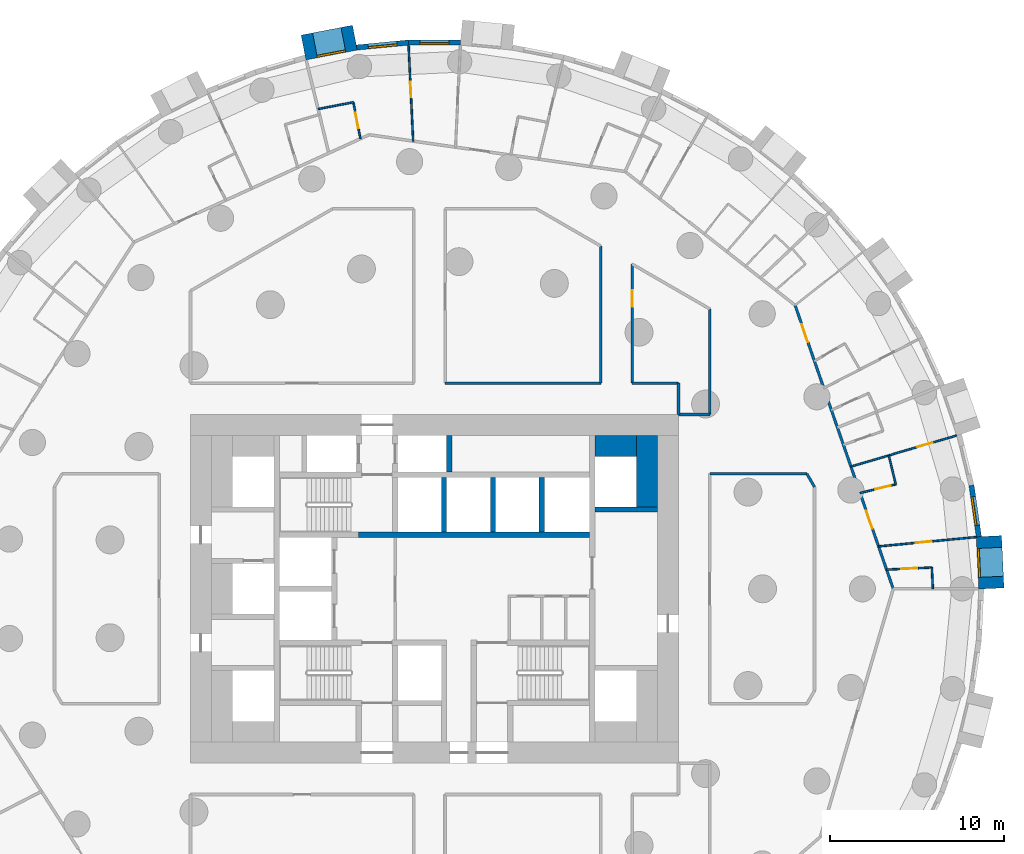
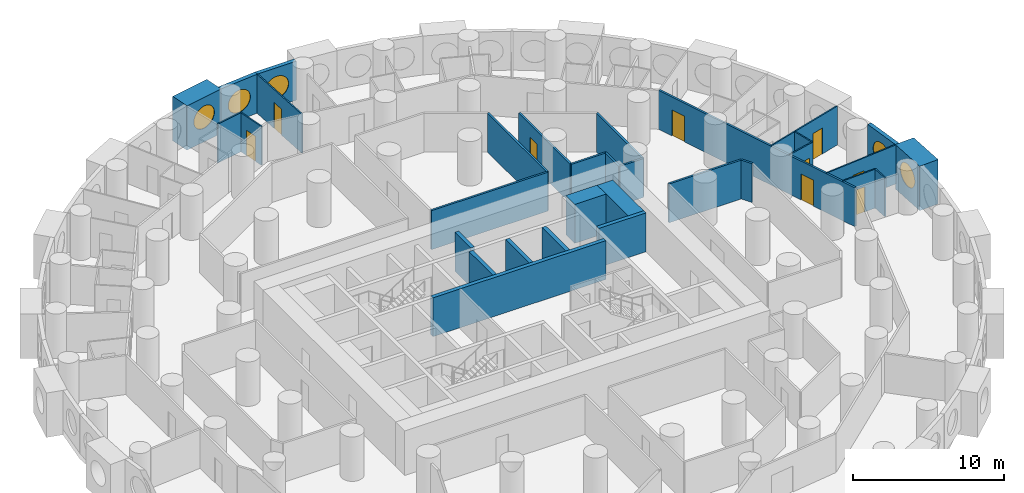
# One storey, part 8 of 12: 33 walls, 9 doors, 5 windows, 14 openings.
"""IFC4 building model written with IfcOpenShell, lengths in metres."""

from ifc_helpers import new_model, si_unit, direction, frame, frame_2d, origin, origin_2d, place, context, subcontext, project, spatial, rectangle, circle, extrude, material, layer, layer_set, type_object, element, fill, save


model = new_model("IFC4")

# Units and contexts
model_context = context("Model", 3, precision=1e-05, world=origin(), true_north=direction((0.0, 1.0)))
body_context = subcontext(model_context, "Body", "Model", "MODEL_VIEW")
ifc_project = project(units=[si_unit("LENGTHUNIT", "METRE"), si_unit("AREAUNIT", "SQUARE_METRE"), si_unit("VOLUMEUNIT", "CUBIC_METRE"), si_unit("PLANEANGLEUNIT", "RADIAN"), si_unit("MASSUNIT", "GRAM", prefix="KILO")], contexts=[model_context])

# Site, building, storey
site_placement = place(None, origin())
site = spatial("IfcSite", under=ifc_project, at=site_placement, CompositionType="ELEMENT")
building_placement = place(site_placement, origin())
building = spatial("IfcBuilding", under=site, at=building_placement, Name="Tracery Tower", CompositionType="ELEMENT")
storey_placement = place(building_placement, frame((0.0, 0.0, 39.0)))
storey = spatial("IfcBuildingStorey", under=building, at=storey_placement, Name="L08", CompositionType="ELEMENT", Elevation=39.0)

# Walls
ifc_material_1 = material(Name="Concrete C60/75", Category="concrete")
ifc_layer_1 = layer(ifc_material_1, 1.199951171875)
ifc_layer_set_1 = layer_set([ifc_layer_1], Name="Core strip wall 1200 C60")
wall_type_1 = type_object("IfcWallType", Name="Core strip wall 1200 C60", PredefinedType="SOLIDWALL", material=ifc_layer_set_1)
wall_1_placement = place(storey_placement, frame((12.199951171875, 4.699951171875, 0.0), z_axis=(0.0, 0.0, 1.0), x_axis=(0.0, 1.0, 0.0)))
element("IfcWall", 1, at=wall_1_placement, inside=storey, type_object=wall_type_1, Name="L08 wing strip +1 4.55", PredefinedType="SOLIDWALL", context=body_context, shape_type="SweptSolid", body=[
    extrude(rectangle(XDim=4.10009765625, YDim=1.199951171875, at=frame_2d((2.050048828125, 0.0))), origin(), (0.0, 0.0, 1.0), 3.14990234375),
])
wall_2_placement = place(storey_placement, frame((9.199951171875, 8.199951171875, 0.0), z_axis=(0.0, 0.0, 1.0), x_axis=(1.0, 0.0, 0.0)))
element("IfcWall", 2, at=wall_2_placement, inside=storey, type_object=wall_type_1, Name="L08 wing corner +1 +8.2", PredefinedType="SOLIDWALL", context=body_context, shape_type="SweptSolid", body=[
    extrude(rectangle(XDim=2.400146484375, YDim=1.199951171875, at=frame_2d((1.2001953125, 0.0))), origin(), (0.0, 0.0, 1.0), 3.14990234375),
])

# Wall, opening, window
ifc_material_2 = material(Name="Precast concrete C50/60", Category="concrete")
ifc_layer_2 = layer(ifc_material_2, 1.449951171875)
ifc_layer_set_2 = layer_set([ifc_layer_2], Name="Deep-set bay unit 3000 x 3600, slab edge 450")
wall_type_2 = type_object("IfcWallType", Name="Deep-set bay unit 3000 x 3600, slab edge 450", PredefinedType="ELEMENTEDWALL", material=ifc_layer_set_2)
wall_3_placement = place(storey_placement, frame((31.94921875, 0.020263671875, -0.449951171875), z_axis=(0.0, 0.0, 1.0), x_axis=(-0.047607680889, 0.998866111509, 0.0)))
wall_3 = element("IfcWall", 3, at=wall_3_placement, inside=storey, type_object=wall_type_2, Name="Deep-set bay unit 1 at L08", PredefinedType="ELEMENTEDWALL", context=body_context, shape_type="SweptSolid", body=[
    extrude(rectangle(XDim=3.0, YDim=1.449951171875, at=frame_2d((1.5, 0.0))), origin(), (0.0, 0.0, 1.0), 3.599853515625),
])
opening_1_placement = place(wall_3_placement, frame((1.5, 0.0, 2.0)))
opening_1 = element("IfcOpeningElement", 4, at=opening_1_placement, cuts=wall_3, Name="Opening WN1", PredefinedType="OPENING", context=body_context, shape_type="SweptSolid", body=[
    extrude(circle(Radius=0.9000244140625, at=origin_2d()), frame((0.0, 0.73486328125, 0.0), z_axis=(0.0, -1.0, 0.0), x_axis=(1.0, 0.0, 0.0)), (0.0, 0.0, 1.0), 1.469970703125),
])
ifc_material_3 = material(Name="Aluminium frame with tinted double glazing", Category="aluminium")
window_type = type_object("IfcWindowType", Name="Round window 1800", PartitioningType="SINGLE_PANEL", PredefinedType="WINDOW", material=ifc_material_3)
window_1_placement = place(opening_1_placement, origin())
window_1 = element("IfcWindow", 5, at=window_1_placement, inside=storey, type_object=window_type, Name="Round window 1 at L08", OverallHeight=1.800048828125, OverallWidth=1.800048828125, PartitioningType="SINGLE_PANEL", PredefinedType="WINDOW", context=body_context, shape_type="SweptSolid", body=[
    extrude(circle(Radius=0.9000244140625, at=origin_2d()), frame((0.0, 0.69482421875, 0.0), z_axis=(0.0, -1.0, 0.0), x_axis=(1.0, 0.0, 0.0)), (0.0, 0.0, 1.0), 0.10009765625),
])
fill(opening_1, window_1)

wall_4_placement = place(storey_placement, frame((-4.56689453125, 31.62109375, -0.449951171875), z_axis=(0.0, 0.0, 1.0), x_axis=(-0.981921602273, -0.189288052949, 0.0)))
wall_4 = element("IfcWall", 6, at=wall_4_placement, inside=storey, type_object=wall_type_2, Name="Deep-set bay unit 19 at L08", PredefinedType="ELEMENTEDWALL", context=body_context, shape_type="SweptSolid", body=[
    extrude(rectangle(XDim=3.0, YDim=1.449951171875, at=frame_2d((1.5, 0.0))), origin(), (0.0, 0.0, 1.0), 3.599853515625),
])
opening_2_placement = place(wall_4_placement, frame((1.5, 0.0, 2.0)))
opening_2 = element("IfcOpeningElement", 7, at=opening_2_placement, cuts=wall_4, Name="Opening WN1", PredefinedType="OPENING", context=body_context, shape_type="SweptSolid", body=[
    extrude(circle(Radius=0.9000244140625, at=origin_2d()), frame((0.0, 0.73486328125, 0.0), z_axis=(0.0, -1.0, 0.0), x_axis=(1.0, 0.0, 0.0)), (0.0, 0.0, 1.0), 1.469970703125),
])
window_2_placement = place(opening_2_placement, origin())
window_2 = element("IfcWindow", 8, at=window_2_placement, inside=storey, type_object=window_type, Name="Round window 19 at L08", OverallHeight=1.800048828125, OverallWidth=1.800048828125, PartitioningType="SINGLE_PANEL", PredefinedType="WINDOW", context=body_context, shape_type="SweptSolid", body=[
    extrude(circle(Radius=0.9000244140625, at=origin_2d()), frame((0.0, 0.69482421875, 0.0), z_axis=(0.0, -1.0, 0.0), x_axis=(1.0, 0.0, 0.0)), (0.0, 0.0, 1.0), 0.10009765625),
])
fill(opening_2, window_2)

ifc_material_4 = material(Name="Precast concrete C50/60", Category="concrete")
ifc_layer_3 = layer(ifc_material_4, 0.300048828125)
ifc_layer_set_3 = layer_set([ifc_layer_3], Name="Facade panel 3000 x 3150")
wall_type_3 = type_object("IfcWallType", Name="Facade panel 3000 x 3150", PredefinedType="SOLIDWALL", material=ifc_layer_set_3)
wall_5_placement = place(storey_placement, frame((31.2314453125, 2.98828125, 0.0), z_axis=(0.0, 0.0, 1.0), x_axis=(-0.142315996627, 0.989821275334, 0.0)))
wall_5 = element("IfcWall", 9, at=wall_5_placement, inside=storey, type_object=wall_type_3, Name="Facade panel 2 at L08", PredefinedType="SOLIDWALL", context=body_context, shape_type="SweptSolid", body=[
    extrude(rectangle(XDim=2.979736328125, YDim=0.300048828125, at=frame_2d((1.48974609375, 0.0))), origin(), (0.0, 0.0, 1.0), 3.14990234375),
])
opening_3_placement = place(wall_5_placement, frame((1.48974609375, 0.0, 1.5498046875)))
opening_3 = element("IfcOpeningElement", 10, at=opening_3_placement, cuts=wall_5, Name="Opening WN1", PredefinedType="OPENING", context=body_context, shape_type="SweptSolid", body=[
    extrude(circle(Radius=0.9000244140625, at=origin_2d()), frame((0.0, 0.159912109375, 0.0), z_axis=(0.0, -1.0, 0.0), x_axis=(1.0, 0.0, 0.0)), (0.0, 0.0, 1.0), 0.320068359375),
])
window_3_placement = place(opening_3_placement, origin())
window_3 = element("IfcWindow", 11, at=window_3_placement, inside=storey, type_object=window_type, Name="Round window 2 at L08", OverallHeight=1.800048828125, OverallWidth=1.800048828125, PartitioningType="SINGLE_PANEL", PredefinedType="WINDOW", context=body_context, shape_type="SweptSolid", body=[
    extrude(circle(Radius=0.9000244140625, at=origin_2d()), frame((0.0, 0.1201171875, 0.0), z_axis=(0.0, -1.0, 0.0), x_axis=(1.0, 0.0, 0.0)), (0.0, 0.0, 1.0), 0.10009765625),
])
fill(opening_3, window_3)

wall_6_placement = place(storey_placement, frame((1.48681640625, 31.3388671875, 0.0), z_axis=(0.0, 0.0, 1.0), x_axis=(-1.0, 0.0, 0.0)))
wall_6 = element("IfcWall", 12, at=wall_6_placement, inside=storey, type_object=wall_type_3, Name="Facade panel 17 at L08", PredefinedType="SOLIDWALL", context=body_context, shape_type="SweptSolid", body=[
    extrude(rectangle(XDim=2.979736328125, YDim=0.300048828125, at=frame_2d((1.48974609375, 0.0))), origin(), (0.0, 0.0, 1.0), 3.14990234375),
])
opening_4_placement = place(wall_6_placement, frame((1.48974609375, 0.0, 1.5498046875)))
opening_4 = element("IfcOpeningElement", 13, at=opening_4_placement, cuts=wall_6, Name="Opening WN1", PredefinedType="OPENING", context=body_context, shape_type="SweptSolid", body=[
    extrude(circle(Radius=0.9000244140625, at=origin_2d()), frame((0.0, 0.159912109375, 0.0), z_axis=(0.0, -1.0, 0.0), x_axis=(1.0, 0.0, 0.0)), (0.0, 0.0, 1.0), 0.320068359375),
])
window_4_placement = place(opening_4_placement, origin())
window_4 = element("IfcWindow", 14, at=window_4_placement, inside=storey, type_object=window_type, Name="Round window 17 at L08", OverallHeight=1.800048828125, OverallWidth=1.800048828125, PartitioningType="SINGLE_PANEL", PredefinedType="WINDOW", context=body_context, shape_type="SweptSolid", body=[
    extrude(circle(Radius=0.9000244140625, at=origin_2d()), frame((0.0, 0.1201171875, 0.0), z_axis=(0.0, -1.0, 0.0), x_axis=(1.0, 0.0, 0.0)), (0.0, 0.0, 1.0), 0.10009765625),
])
fill(opening_4, window_4)

wall_7_placement = place(storey_placement, frame((-1.492919921875, 31.3388671875, 0.0), z_axis=(0.0, 0.0, 1.0), x_axis=(-0.995472611385, -0.095048829468, 0.0)))
wall_7 = element("IfcWall", 15, at=wall_7_placement, inside=storey, type_object=wall_type_3, Name="Facade panel 18 at L08", PredefinedType="SOLIDWALL", context=body_context, shape_type="SweptSolid", body=[
    extrude(rectangle(XDim=2.9794921875, YDim=0.300048828125, at=frame_2d((1.48974609375, 0.0))), origin(), (0.0, 0.0, 1.0), 3.14990234375),
])
opening_5_placement = place(wall_7_placement, frame((1.48974609375, 0.0, 1.5498046875)))
opening_5 = element("IfcOpeningElement", 16, at=opening_5_placement, cuts=wall_7, Name="Opening WN1", PredefinedType="OPENING", context=body_context, shape_type="SweptSolid", body=[
    extrude(circle(Radius=0.9000244140625, at=origin_2d()), frame((0.0, 0.159912109375, 0.0), z_axis=(0.0, -1.0, 0.0), x_axis=(1.0, 0.0, 0.0)), (0.0, 0.0, 1.0), 0.320068359375),
])
window_5_placement = place(opening_5_placement, origin())
window_5 = element("IfcWindow", 17, at=window_5_placement, inside=storey, type_object=window_type, Name="Round window 18 at L08", OverallHeight=1.800048828125, OverallWidth=1.800048828125, PartitioningType="SINGLE_PANEL", PredefinedType="WINDOW", context=body_context, shape_type="SweptSolid", body=[
    extrude(circle(Radius=0.9000244140625, at=origin_2d()), frame((0.0, 0.1201171875, 0.0), z_axis=(0.0, -1.0, 0.0), x_axis=(1.0, 0.0, 0.0)), (0.0, 0.0, 1.0), 0.10009765625),
])
fill(opening_5, window_5)

# Wall, opening, door
ifc_material_5 = material(Name="Plasterboard on steel studs", Category="steel")
ifc_layer_4 = layer(ifc_material_5, 0.10009765625)
ifc_layer_set_4 = layer_set([ifc_layer_4], Name="Partition 100 stud")
wall_type_4 = type_object("IfcWallType", Name="Partition 100 stud", PredefinedType="PARTITIONING", material=ifc_layer_set_4)
wall_8_placement = place(storey_placement, frame((25.47705078125, 2.43310546875, 0.0), z_axis=(0.0, 0.0, 1.0), x_axis=(0.995478505054, 0.094987083206, 0.0)))
wall_8 = element("IfcWall", 18, at=wall_8_placement, inside=storey, type_object=wall_type_4, Name="Stud partition RA2-060", PredefinedType="PARTITIONING", context=body_context, shape_type="SweptSolid", body=[
    extrude(rectangle(XDim=5.63134765625, YDim=0.10009765625, at=frame_2d((2.815673828125, 0.0))), origin(), (0.0, 0.0, 1.0), 3.14990234375),
])
opening_6_placement = place(wall_8_placement, frame((2.1494140625, 0.0, 0.0)))
opening_6 = element("IfcOpeningElement", 19, at=opening_6_placement, cuts=wall_8, Name="Opening RA2-11", PredefinedType="OPENING", context=body_context, shape_type="SweptSolid", body=[
    extrude(rectangle(XDim=0.89990234375, YDim=2.10009765625, at=frame_2d((0.449951171875, 1.050048828125))), frame((0.0, 0.050048828125, 0.0), z_axis=(0.0, -1.0, 0.0), x_axis=(1.0, 0.0, 0.0)), (0.0, 0.0, 1.0), 0.10009765625),
])
ifc_material_6 = material(Name="Timber door leaf", Category="wood")
door_type_1 = type_object("IfcDoorType", Name="Door bedroom 900", OperationType="NOTDEFINED", PredefinedType="DOOR", material=ifc_material_6)
door_1_placement = place(opening_6_placement, origin())
door_1 = element("IfcDoor", 20, at=door_1_placement, inside=storey, type_object=door_type_1, Name="Bedroom door RA2-11", OperationType="SINGLE_SWING_RIGHT", OverallHeight=2.10009765625, OverallWidth=0.89990234375, PredefinedType="DOOR", context=body_context, shape_type="SweptSolid", body=[
    extrude(rectangle(XDim=0.89990234375, YDim=2.10009765625, at=frame_2d((0.449951171875, 1.050048828125))), frame((0.0, 0.02490234375, 0.0), z_axis=(0.0, -1.0, 0.0), x_axis=(1.0, 0.0, 0.0)), (0.0, 0.0, 1.0), 0.050048828125),
])
fill(opening_6, door_1)

wall_9_placement = place(storey_placement, frame((26.06396484375, 7.653076171875, 0.0), z_axis=(0.0, 0.0, 1.0), x_axis=(0.959468862097, 0.281814660134, 0.0)))
wall_9 = element("IfcWall", 21, at=wall_9_placement, inside=storey, type_object=wall_type_4, Name="Stud partition RA2-061", PredefinedType="PARTITIONING", context=body_context, shape_type="SweptSolid", body=[
    extrude(rectangle(XDim=4.0595703125, YDim=0.10009765625, at=frame_2d((2.02978515625, 0.0))), origin(), (0.0, 0.0, 1.0), 3.14990234375),
])
opening_7_placement = place(wall_9_placement, frame((1.718017578125, 0.0, 0.0)))
opening_7 = element("IfcOpeningElement", 22, at=opening_7_placement, cuts=wall_9, Name="Opening RA2-13", PredefinedType="OPENING", context=body_context, shape_type="SweptSolid", body=[
    extrude(rectangle(XDim=0.89990234375, YDim=2.10009765625, at=frame_2d((0.449951171875, 1.050048828125))), frame((0.0, 0.050048828125, 0.0), z_axis=(0.0, -1.0, 0.0), x_axis=(1.0, 0.0, 0.0)), (0.0, 0.0, 1.0), 0.10009765625),
])
door_2_placement = place(opening_7_placement, origin())
door_2 = element("IfcDoor", 23, at=door_2_placement, inside=storey, type_object=door_type_1, Name="Bedroom door RA2-13", OperationType="SINGLE_SWING_RIGHT", OverallHeight=2.10009765625, OverallWidth=0.89990234375, PredefinedType="DOOR", context=body_context, shape_type="SweptSolid", body=[
    extrude(rectangle(XDim=0.89990234375, YDim=2.10009765625, at=frame_2d((0.449951171875, 1.050048828125))), frame((0.0, 0.02490234375, 0.0), z_axis=(0.0, -1.0, 0.0), x_axis=(1.0, 0.0, 0.0)), (0.0, 0.0, 1.0), 0.050048828125),
])
fill(opening_7, door_2)

wall_10_placement = place(storey_placement, frame((-1.486083984375, 31.18896484375, 0.0), z_axis=(0.0, 0.0, 1.0), x_axis=(0.047567255643, -0.998868037426, 0.0)))
wall_10 = element("IfcWall", 24, at=wall_10_placement, inside=storey, type_object=wall_type_4, Name="Stud partition RA2-094", PredefinedType="PARTITIONING", context=body_context, shape_type="SweptSolid", body=[
    extrude(rectangle(XDim=5.50732421875, YDim=0.10009765625, at=frame_2d((2.753662109375, 0.0))), origin(), (0.0, 0.0, 1.0), 3.14990234375),
])
opening_8_placement = place(wall_10_placement, frame((2.09326171875, 0.0, 0.0)))
opening_8 = element("IfcOpeningElement", 25, at=opening_8_placement, cuts=wall_10, Name="Opening RA2-32", PredefinedType="OPENING", context=body_context, shape_type="SweptSolid", body=[
    extrude(rectangle(XDim=0.89990234375, YDim=2.10009765625, at=frame_2d((0.449951171875, 1.050048828125))), frame((0.0, 0.050048828125, 0.0), z_axis=(0.0, -1.0, 0.0), x_axis=(1.0, 0.0, 0.0)), (0.0, 0.0, 1.0), 0.10009765625),
])
door_3_placement = place(opening_8_placement, origin())
door_3 = element("IfcDoor", 26, at=door_3_placement, inside=storey, type_object=door_type_1, Name="Bedroom door RA2-32", OperationType="SINGLE_SWING_RIGHT", OverallHeight=2.10009765625, OverallWidth=0.89990234375, PredefinedType="DOOR", context=body_context, shape_type="SweptSolid", body=[
    extrude(rectangle(XDim=0.89990234375, YDim=2.10009765625, at=frame_2d((0.449951171875, 1.050048828125))), frame((0.0, 0.02490234375, 0.0), z_axis=(0.0, -1.0, 0.0), x_axis=(1.0, 0.0, 0.0)), (0.0, 0.0, 1.0), 0.050048828125),
])
fill(opening_8, door_3)

ifc_material_7 = material(Name="Plasterboard on steel studs", Category="steel")
ifc_layer_5 = layer(ifc_material_7, 0.10009765625)
ifc_layer_set_5 = layer_set([ifc_layer_5], Name="Partition 100 wet wall")
wall_type_5 = type_object("IfcWallType", Name="Partition 100 wet wall", PredefinedType="PARTITIONING", material=ifc_layer_set_5)
wall_11_placement = place(storey_placement, frame((24.416015625, 5.4970703125, 0.0), z_axis=(0.0, 0.0, 1.0), x_axis=(0.971866967279, 0.23553046069, 0.0)))
wall_11 = element("IfcWall", 27, at=wall_11_placement, inside=storey, type_object=wall_type_5, Name="Wet wall RA2-058", PredefinedType="PARTITIONING", context=body_context, shape_type="SweptSolid", body=[
    extrude(rectangle(XDim=2.109375, YDim=0.10009765625, at=frame_2d((1.0546875, 0.0))), origin(), (0.0, 0.0, 1.0), 3.14990234375),
])
opening_9_placement = place(wall_11_placement, frame((0.905029296875, 0.0, 0.0)))
opening_9 = element("IfcOpeningElement", 28, at=opening_9_placement, cuts=wall_11, Name="Opening RA2-10", PredefinedType="OPENING", context=body_context, shape_type="SweptSolid", body=[
    extrude(rectangle(XDim=0.89990234375, YDim=2.0, at=frame_2d((0.449951171875, 1.0))), frame((0.0, 0.050048828125, 0.0), z_axis=(0.0, -1.0, 0.0), x_axis=(1.0, 0.0, 0.0)), (0.0, 0.0, 1.0), 0.10009765625),
])
ifc_material_8 = material(Name="Timber door leaf", Category="wood")
door_type_2 = type_object("IfcDoorType", Name="Door shower room 900", OperationType="NOTDEFINED", PredefinedType="DOOR", material=ifc_material_8)
door_4_placement = place(opening_9_placement, origin())
door_4 = element("IfcDoor", 29, at=door_4_placement, inside=storey, type_object=door_type_2, Name="Shower room door RA2-10", OperationType="SINGLE_SWING_RIGHT", OverallHeight=2.0, OverallWidth=0.89990234375, PredefinedType="DOOR", context=body_context, shape_type="SweptSolid", body=[
    extrude(rectangle(XDim=0.89990234375, YDim=2.0, at=frame_2d((0.449951171875, 1.0))), frame((0.0, 0.02490234375, 0.0), z_axis=(0.0, -1.0, 0.0), x_axis=(1.0, 0.0, 0.0)), (0.0, 0.0, 1.0), 0.050048828125),
])
fill(opening_9, door_4)

# Walls
wall_12_placement = place(storey_placement, frame((26.06396484375, 7.653076171875, 0.0), z_axis=(0.0, 0.0, 1.0), x_axis=(0.235530444604, -0.971866971177, 0.0)))
element("IfcWall", 30, at=wall_12_placement, inside=storey, type_object=wall_type_5, Name="Wet wall RA2-059", PredefinedType="PARTITIONING", context=body_context, shape_type="SweptSolid", body=[
    extrude(rectangle(XDim=1.707275390625, YDim=0.10009765625, at=frame_2d((0.853515625, 0.0))), origin(), (0.0, 0.0, 1.0), 3.14990234375),
])
wall_13_placement = place(storey_placement, frame((23.89111328125, 7.014892578125, 0.0), z_axis=(0.0, 0.0, 1.0), x_axis=(0.959471865828, 0.281804433402, 0.0)))
element("IfcWall", 31, at=wall_13_placement, inside=storey, type_object=wall_type_5, Name="Wet wall RA2-062", PredefinedType="PARTITIONING", context=body_context, shape_type="SweptSolid", body=[
    extrude(rectangle(XDim=2.2646484375, YDim=0.10009765625, at=frame_2d((1.13232421875, 0.0))), origin(), (0.0, 0.0, 1.0), 3.14990234375),
])
wall_14_placement = place(storey_placement, frame((28.532958984375, 1.222900390625, 0.0), z_axis=(0.0, 0.0, 1.0), x_axis=(0.048256750126, -0.99883496438, 0.0)))
element("IfcWall", 32, at=wall_14_placement, inside=storey, type_object=wall_type_5, Name="Wet wall RA2-063", PredefinedType="PARTITIONING", context=body_context, shape_type="SweptSolid", body=[
    extrude(rectangle(XDim=1.224365234375, YDim=0.10009765625, at=frame_2d((0.6123046875, 0.0))), origin(), (0.0, 0.0, 1.0), 3.14990234375),
])

# Wall, opening, door
wall_15_placement = place(storey_placement, frame((25.93798828125, 1.10009765625, 0.0), z_axis=(0.0, 0.0, 1.0), x_axis=(0.998882127028, 0.047270459111, 0.0)))
wall_15 = element("IfcWall", 33, at=wall_15_placement, inside=storey, type_object=wall_type_5, Name="Wet wall RA2-064", PredefinedType="PARTITIONING", context=body_context, shape_type="SweptSolid", body=[
    extrude(rectangle(XDim=2.597900390625, YDim=0.10009765625, at=frame_2d((1.298828125, 0.0))), origin(), (0.0, 0.0, 1.0), 3.14990234375),
])
opening_10_placement = place(wall_15_placement, frame((0.848876953125, 0.0, 0.0)))
opening_10 = element("IfcOpeningElement", 34, at=opening_10_placement, cuts=wall_15, Name="Opening RA2-12", PredefinedType="OPENING", context=body_context, shape_type="SweptSolid", body=[
    extrude(rectangle(XDim=0.89990234375, YDim=2.0400390625, at=frame_2d((0.449951171875, 1.02001953125))), frame((0.0, 0.050048828125, 0.0), z_axis=(0.0, -1.0, 0.0), x_axis=(1.0, 0.0, 0.0)), (0.0, 0.0, 1.0), 0.10009765625),
])
ifc_material_9 = material(Name="Timber door leaf", Category="wood")
door_type_3 = type_object("IfcDoorType", Name="Door en-suite 900", OperationType="NOTDEFINED", PredefinedType="DOOR", material=ifc_material_9)
door_5_placement = place(opening_10_placement, origin())
door_5 = element("IfcDoor", 35, at=door_5_placement, inside=storey, type_object=door_type_3, Name="En-suite door RA2-12", OperationType="SINGLE_SWING_RIGHT", OverallHeight=2.0400390625, OverallWidth=0.89990234375, PredefinedType="DOOR", context=body_context, shape_type="SweptSolid", body=[
    extrude(rectangle(XDim=0.89990234375, YDim=2.0400390625, at=frame_2d((0.449951171875, 1.02001953125))), frame((0.0, 0.02490234375, 0.0), z_axis=(0.0, -1.0, 0.0), x_axis=(1.0, 0.0, 0.0)), (0.0, 0.0, 1.0), 0.050048828125),
])
fill(opening_10, door_5)

wall_16_placement = place(storey_placement, frame((-4.653076171875, 27.9150390625, 0.0), z_axis=(0.0, 0.0, 1.0), x_axis=(0.189463029113, -0.981887855409, 0.0)))
wall_16 = element("IfcWall", 36, at=wall_16_placement, inside=storey, type_object=wall_type_5, Name="Wet wall RA2-098", PredefinedType="PARTITIONING", context=body_context, shape_type="SweptSolid", body=[
    extrude(rectangle(XDim=2.132568359375, YDim=0.10009765625, at=frame_2d((1.06640625, 0.0))), origin(), (0.0, 0.0, 1.0), 3.14990234375),
])
opening_11_placement = place(wall_16_placement, frame((0.61669921875, 0.0, 0.0)))
opening_11 = element("IfcOpeningElement", 37, at=opening_11_placement, cuts=wall_16, Name="Opening RA2-33", PredefinedType="OPENING", context=body_context, shape_type="SweptSolid", body=[
    extrude(rectangle(XDim=0.89990234375, YDim=2.0400390625, at=frame_2d((0.449951171875, 1.02001953125))), frame((0.0, 0.050048828125, 0.0), z_axis=(0.0, -1.0, 0.0), x_axis=(1.0, 0.0, 0.0)), (0.0, 0.0, 1.0), 0.10009765625),
])
door_6_placement = place(opening_11_placement, origin())
door_6 = element("IfcDoor", 38, at=door_6_placement, inside=storey, type_object=door_type_3, Name="En-suite door RA2-33", OperationType="SINGLE_SWING_LEFT", OverallHeight=2.0400390625, OverallWidth=0.89990234375, PredefinedType="DOOR", context=body_context, shape_type="SweptSolid", body=[
    extrude(rectangle(XDim=0.89990234375, YDim=2.0400390625, at=frame_2d((0.449951171875, 1.02001953125))), frame((0.0, 0.02490234375, 0.0), z_axis=(0.0, -1.0, 0.0), x_axis=(1.0, 0.0, 0.0)), (0.0, 0.0, 1.0), 0.050048828125),
])
fill(opening_11, door_6)

# Walls
wall_17_placement = place(storey_placement, frame((-6.677978515625, 27.52490234375, 0.0), z_axis=(0.0, 0.0, 1.0), x_axis=(0.981940520272, 0.18918989045, 0.0)))
element("IfcWall", 39, at=wall_17_placement, inside=storey, type_object=wall_type_5, Name="Wet wall RA2-099", PredefinedType="PARTITIONING", context=body_context, shape_type="SweptSolid", body=[
    extrude(rectangle(XDim=2.062255859375, YDim=0.10009765625, at=frame_2d((1.03125, 0.0))), origin(), (0.0, 0.0, 1.0), 3.14990234375),
])
ifc_material_10 = material(Name="Plasterboard on steel studs", Category="steel")
ifc_layer_6 = layer(ifc_material_10, 0.14990234375)
ifc_layer_set_6 = layer_set([ifc_layer_6], Name="Partition 150 corridor wall")
wall_type_6 = type_object("IfcWallType", Name="Partition 150 corridor wall", PredefinedType="PARTITIONING", material=ifc_layer_set_6)
wall_18_placement = place(storey_placement, frame((0.60400390625, 11.800048828125, 0.0), z_axis=(0.0, 0.0, 1.0), x_axis=(1.0, 0.0, 0.0)))
element("IfcWall", 40, at=wall_18_placement, inside=storey, type_object=wall_type_6, Name="Corridor wall RA2-002", PredefinedType="PARTITIONING", context=body_context, shape_type="SweptSolid", body=[
    extrude(rectangle(XDim=8.93603515625, YDim=0.14990234375, at=frame_2d((4.468017578125, 0.0))), origin(), (0.0, 0.0, 1.0), 3.14990234375),
])
wall_19_placement = place(storey_placement, frame((11.33203125, 11.800048828125, 0.0), z_axis=(0.0, 0.0, 1.0), x_axis=(1.0, 0.0, 0.0)))
element("IfcWall", 41, at=wall_19_placement, inside=storey, type_object=wall_type_6, Name="Corridor wall RA2-003", PredefinedType="PARTITIONING", context=body_context, shape_type="SweptSolid", body=[
    extrude(rectangle(XDim=2.66796875, YDim=0.14990234375, at=frame_2d((1.333984375, 0.0))), origin(), (0.0, 0.0, 1.0), 3.14990234375),
])
for number, where, z_axis, x_axis, name in (
    (42, (14.0, 10.0, 0.0), (0.0, 0.0, 1.0), (0.0, 1.0, 0.0), "Corridor wall RA2-004"),
    (43, (14.0, 10.0, 0.0), (0.0, 0.0, 1.0), (1.0, 0.0, 0.0), "Corridor wall RA2-009"),
):
    element("IfcWall", number, at=place(storey_placement, frame(where, z_axis=z_axis, x_axis=x_axis)), inside=storey, type_object=wall_type_6, Name=name, PredefinedType="PARTITIONING", context=body_context, shape_type="SweptSolid", body=[
        extrude(rectangle(XDim=1.800048828125, YDim=0.14990234375, at=frame_2d((0.89990234375, 0.0))), origin(), (0.0, 0.0, 1.0), 3.14990234375),
    ])
wall_20_placement = place(storey_placement, frame((15.800048828125, 9.99609375, 0.0), z_axis=(0.0, 0.0, 1.0), x_axis=(0.0, 1.0, 0.0)))
element("IfcWall", 44, at=wall_20_placement, inside=storey, type_object=wall_type_6, Name="Corridor wall RA2-013", PredefinedType="PARTITIONING", context=body_context, shape_type="SweptSolid", body=[
    extrude(rectangle(XDim=6.056884765625, YDim=0.14990234375, at=frame_2d((3.0283203125, 0.0))), origin(), (0.0, 0.0, 1.0), 3.14990234375),
])
wall_21_placement = place(storey_placement, frame((21.364013671875, 6.60009765625, 0.0), z_axis=(0.0, 0.0, 1.0), x_axis=(0.500277597875, -0.865865073245, 0.0)))
element("IfcWall", 45, at=wall_21_placement, inside=storey, type_object=wall_type_6, Name="Corridor wall RA2-018", PredefinedType="PARTITIONING", context=body_context, shape_type="SweptSolid", body=[
    extrude(rectangle(XDim=0.87548828125, YDim=0.14990234375, at=frame_2d((0.437744140625, 0.0))), origin(), (0.0, 0.0, 1.0), 3.14990234375),
])
wall_22_placement = place(storey_placement, frame((15.800048828125, 6.60009765625, 0.0), z_axis=(0.0, 0.0, 1.0), x_axis=(1.0, 0.0, 0.0)))
element("IfcWall", 46, at=wall_22_placement, inside=storey, type_object=wall_type_6, Name="Corridor wall RA2-019", PredefinedType="PARTITIONING", context=body_context, shape_type="SweptSolid", body=[
    extrude(rectangle(XDim=5.56396484375, YDim=0.14990234375, at=frame_2d((2.781982421875, 0.0))), origin(), (0.0, 0.0, 1.0), 3.14990234375),
])

# Wall, openings, doors
wall_23_placement = place(storey_placement, frame((20.68896484375, 16.269287109375, 0.0), z_axis=(0.0, 0.0, 1.0), x_axis=(0.327000485361, -0.945024170365, 0.0)))
wall_23 = element("IfcWall", 47, at=wall_23_placement, inside=storey, type_object=wall_type_6, Name="Corridor wall RA2-020", PredefinedType="PARTITIONING", context=body_context, shape_type="SweptSolid", body=[
    extrude(rectangle(XDim=17.216064453125, YDim=0.14990234375, at=frame_2d((8.60791015625, 0.0))), origin(), (0.0, 0.0, 1.0), 3.14990234375),
])
opening_12_placement = place(wall_23_placement, frame((12.4697265625, 0.0, 0.0)))
opening_12 = element("IfcOpeningElement", 48, at=opening_12_placement, cuts=wall_23, Name="Opening RA2-09", PredefinedType="OPENING", context=body_context, shape_type="SweptSolid", body=[
    extrude(rectangle(XDim=1.10009765625, YDim=2.10009765625, at=frame_2d((0.550048828125, 1.050048828125))), frame((0.0, 0.074951171875, 0.0), z_axis=(0.0, -1.0, 0.0), x_axis=(1.0, 0.0, 0.0)), (0.0, 0.0, 1.0), 0.14990234375),
])
opening_13_placement = place(wall_23_placement, frame((1.14794921875, 0.0, 0.0)))
opening_13 = element("IfcOpeningElement", 49, at=opening_13_placement, cuts=wall_23, Name="Opening RA2-15", PredefinedType="OPENING", context=body_context, shape_type="SweptSolid", body=[
    extrude(rectangle(XDim=1.10009765625, YDim=2.10009765625, at=frame_2d((0.550048828125, 1.050048828125))), frame((0.0, 0.074951171875, 0.0), z_axis=(0.0, -1.0, 0.0), x_axis=(1.0, 0.0, 0.0)), (0.0, 0.0, 1.0), 0.14990234375),
])
ifc_material_11 = material(Name="Timber door leaf", Category="wood")
door_type_4 = type_object("IfcDoorType", Name="Door cluster entrance 1100", OperationType="NOTDEFINED", PredefinedType="DOOR", material=ifc_material_11)
door_7_placement = place(opening_12_placement, origin())
door_7 = element("IfcDoor", 50, at=door_7_placement, inside=storey, type_object=door_type_4, Name="Cluster entrance door RA2-09", OperationType="SINGLE_SWING_LEFT", OverallHeight=2.10009765625, OverallWidth=1.10009765625, PredefinedType="DOOR", context=body_context, shape_type="SweptSolid", body=[
    extrude(rectangle(XDim=1.10009765625, YDim=2.10009765625, at=frame_2d((0.550048828125, 1.050048828125))), frame((0.0, 0.02490234375, 0.0), z_axis=(0.0, -1.0, 0.0), x_axis=(1.0, 0.0, 0.0)), (0.0, 0.0, 1.0), 0.050048828125),
])
fill(opening_12, door_7)
door_8_placement = place(opening_13_placement, origin())
door_8 = element("IfcDoor", 51, at=door_8_placement, inside=storey, type_object=door_type_4, Name="Cluster entrance door RA2-15", OperationType="SINGLE_SWING_LEFT", OverallHeight=2.10009765625, OverallWidth=1.10009765625, PredefinedType="DOOR", context=body_context, shape_type="SweptSolid", body=[
    extrude(rectangle(XDim=1.10009765625, YDim=2.10009765625, at=frame_2d((0.550048828125, 1.050048828125))), frame((0.0, 0.02490234375, 0.0), z_axis=(0.0, -1.0, 0.0), x_axis=(1.0, 0.0, 0.0)), (0.0, 0.0, 1.0), 0.050048828125),
])
fill(opening_13, door_8)

# Wall
wall_24_placement = place(storey_placement, frame((9.535888671875, 11.800048828125, 0.0), z_axis=(0.0, 0.0, 1.0), x_axis=(0.0, 1.0, 0.0)))
element("IfcWall", 52, at=wall_24_placement, inside=storey, type_object=wall_type_6, Name="Corridor wall RA2-028", PredefinedType="PARTITIONING", context=body_context, shape_type="SweptSolid", body=[
    extrude(rectangle(XDim=7.868896484375, YDim=0.14990234375, at=frame_2d((3.9345703125, 0.0))), origin(), (0.0, 0.0, 1.0), 3.14990234375),
])

# Wall, opening, door
wall_25_placement = place(storey_placement, frame((11.3359375, 11.800048828125, 0.0), z_axis=(0.0, 0.0, 1.0), x_axis=(0.0, 1.0, 0.0)))
wall_25 = element("IfcWall", 53, at=wall_25_placement, inside=storey, type_object=wall_type_6, Name="Corridor wall RA2-033", PredefinedType="PARTITIONING", context=body_context, shape_type="SweptSolid", body=[
    extrude(rectangle(XDim=6.829833984375, YDim=0.14990234375, at=frame_2d((3.4150390625, 0.0))), origin(), (0.0, 0.0, 1.0), 3.14990234375),
])
opening_14_placement = place(wall_25_placement, frame((4.389892578125, 0.0, 0.0)))
opening_14 = element("IfcOpeningElement", 54, at=opening_14_placement, cuts=wall_25, Name="Opening RA2-03", PredefinedType="OPENING", context=body_context, shape_type="SweptSolid", body=[
    extrude(rectangle(XDim=0.949951171875, YDim=2.10009765625, at=frame_2d((0.47509765625, 1.050048828125))), frame((0.0, 0.074951171875, 0.0), z_axis=(0.0, -1.0, 0.0), x_axis=(1.0, 0.0, 0.0)), (0.0, 0.0, 1.0), 0.14990234375),
])
ifc_material_12 = material(Name="Timber door leaf", Category="wood")
door_type_5 = type_object("IfcDoorType", Name="Door store 950", OperationType="NOTDEFINED", PredefinedType="DOOR", material=ifc_material_12)
door_9_placement = place(opening_14_placement, origin())
door_9 = element("IfcDoor", 55, at=door_9_placement, inside=storey, type_object=door_type_5, Name="Store door RA2-03", OperationType="SINGLE_SWING_LEFT", OverallHeight=2.10009765625, OverallWidth=0.949951171875, PredefinedType="DOOR", context=body_context, shape_type="SweptSolid", body=[
    extrude(rectangle(XDim=0.949951171875, YDim=2.10009765625, at=frame_2d((0.47509765625, 1.050048828125))), frame((0.0, 0.02490234375, 0.0), z_axis=(0.0, -1.0, 0.0), x_axis=(1.0, 0.0, 0.0)), (0.0, 0.0, 1.0), 0.050048828125),
])
fill(opening_14, door_9)

# Walls
ifc_material_13 = material(Name="Concrete C60/75", Category="concrete")
ifc_layer_7 = layer(ifc_material_13, 0.300048828125)
ifc_layer_set_7 = layer_set([ifc_layer_7], Name="Shaft wall 300 C60")
wall_type_7 = type_object("IfcWallType", Name="Shaft wall 300 C60", PredefinedType="SOLIDWALL", material=ifc_layer_set_7)
for number, where, z_axis, x_axis, name in (
    (56, (0.550048828125, 3.25, 0.0), (0.0, 0.0, 1.0), (0.0, 1.0, 0.0), "L08 HR sep 1"),
    (57, (3.35009765625, 3.25, 0.0), (0.0, 0.0, 1.0), (0.0, 1.0, 0.0), "L08 HR sep 2"),
    (58, (6.14990234375, 3.25, 0.0), (0.0, 0.0, 1.0), (0.0, 1.0, 0.0), "L08 HR sep 3"),
):
    element("IfcWall", number, at=place(storey_placement, frame(where, z_axis=z_axis, x_axis=x_axis)), inside=storey, type_object=wall_type_7, Name=name, PredefinedType="SOLIDWALL", context=body_context, shape_type="SweptSolid", body=[
        extrude(rectangle(XDim=3.14990234375, YDim=0.300048828125, at=frame_2d((1.574951171875, 0.0))), origin(), (0.0, 0.0, 1.0), 3.14990234375),
    ])
wall_26_placement = place(storey_placement, frame((0.85009765625, 6.699951171875, 0.0), z_axis=(0.0, 0.0, 1.0), x_axis=(0.0, 1.0, 0.0)))
element("IfcWall", 59, at=wall_26_placement, inside=storey, type_object=wall_type_7, Name="L08 LR sep 0.85", PredefinedType="SOLIDWALL", context=body_context, shape_type="SweptSolid", body=[
    extrude(rectangle(XDim=2.10009765625, YDim=0.300048828125, at=frame_2d((1.050048828125, 0.0))), origin(), (0.0, 0.0, 1.0), 3.14990234375),
])
wall_27_placement = place(storey_placement, frame((9.199951171875, 4.550048828125, 0.0), z_axis=(0.0, 0.0, 1.0), x_axis=(1.0, 0.0, 0.0)))
element("IfcWall", 60, at=wall_27_placement, inside=storey, type_object=wall_type_7, Name="L08 wing shaft wall +1 +4.55", PredefinedType="SOLIDWALL", context=body_context, shape_type="SweptSolid", body=[
    extrude(rectangle(XDim=3.60009765625, YDim=0.300048828125, at=frame_2d((1.800048828125, 0.0))), origin(), (0.0, 0.0, 1.0), 3.14990234375),
])
ifc_material_14 = material(Name="Concrete C60/75", Category="concrete")
ifc_layer_8 = layer(ifc_material_14, 0.300048828125)
ifc_layer_set_8 = layer_set([ifc_layer_8], Name="Stair wall 300 C60")
wall_type_8 = type_object("IfcWallType", Name="Stair wall 300 C60", PredefinedType="SOLIDWALL", material=ifc_layer_set_8)
wall_28_placement = place(storey_placement, frame((-4.35009765625, 3.10009765625, 0.0), z_axis=(0.0, 0.0, 1.0), x_axis=(1.0, 0.0, 0.0)))
element("IfcWall", 61, at=wall_28_placement, inside=storey, type_object=wall_type_8, Name="L08 row N", PredefinedType="SOLIDWALL", context=body_context, shape_type="SweptSolid", body=[
    extrude(rectangle(XDim=13.25, YDim=0.300048828125, at=frame_2d((6.625, 0.0))), origin(), (0.0, 0.0, 1.0), 3.14990234375),
])

save(model, "model.ifc")
